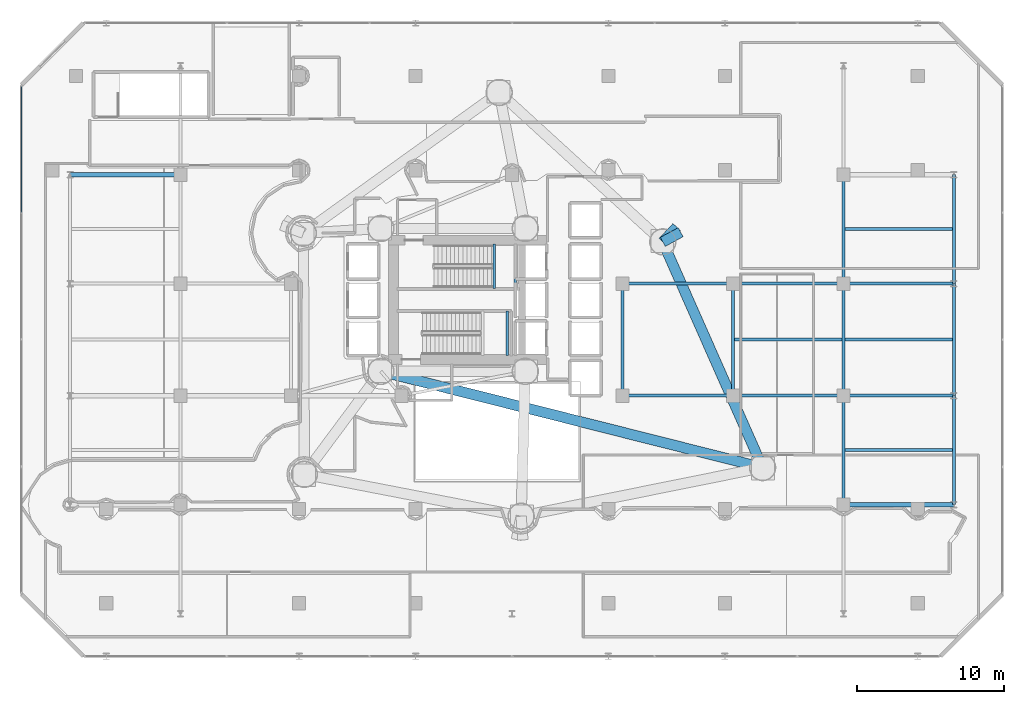
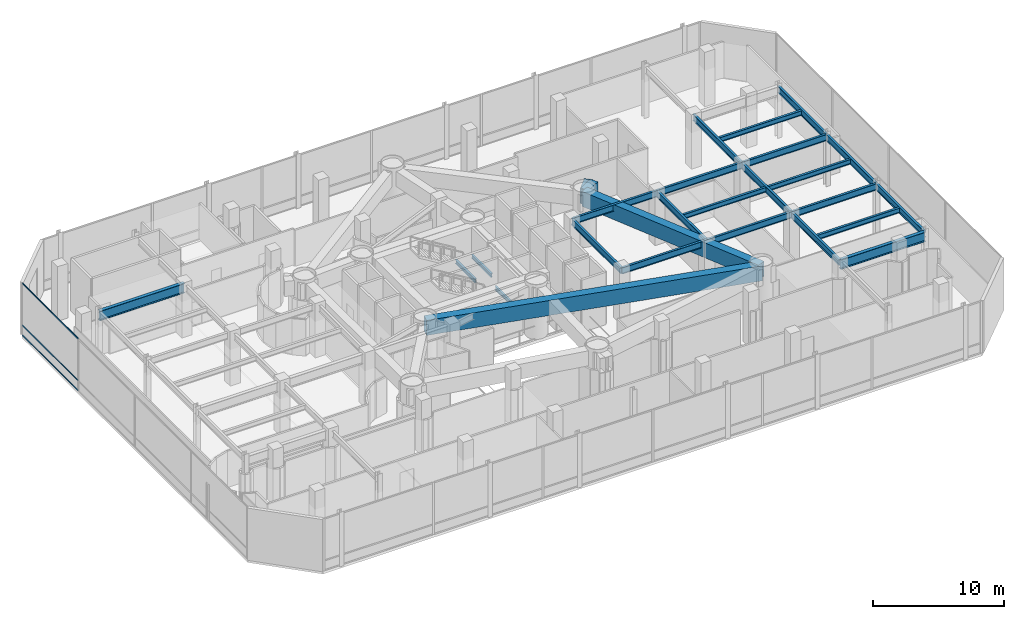
# One storey, part 16 of 40: 27 beams, 3 members, 1 element without a shape of its own.
"""IFC4 building model written with IfcOpenShell, lengths in metres."""

from ifc_helpers import new_model, si_unit, direction, frame, origin, origin_2d, place, context, subcontext, project, spatial, hollow_rectangle, i_section, extrude, material, layer, layer_set, material_profile, profile_set, type_object, element, aggregate, save


model = new_model("IFC4")

# Units and contexts
model_context = context("Model", 3, precision=1e-05, world=origin(), true_north=direction((0.0, 1.0)))
body_context = subcontext(model_context, "Body", "Model", "MODEL_VIEW")
ifc_project = project(units=[si_unit("LENGTHUNIT", "METRE"), si_unit("AREAUNIT", "SQUARE_METRE"), si_unit("VOLUMEUNIT", "CUBIC_METRE"), si_unit("PLANEANGLEUNIT", "RADIAN"), si_unit("MASSUNIT", "GRAM", prefix="KILO")], contexts=[model_context])

# Site, building, storey
site_placement = place(None, origin())
site = spatial("IfcSite", under=ifc_project, at=site_placement, CompositionType="ELEMENT")
building_placement = place(site_placement, origin())
building = spatial("IfcBuilding", under=site, at=building_placement, Name="Qianvela Tower", CompositionType="ELEMENT")
storey_placement = place(building_placement, frame((0.0, 0.0, 20.60009765625)))
storey = spatial("IfcBuildingStorey", under=building, at=storey_placement, Name="L04", CompositionType="ELEMENT", Elevation=20.60009765625)

# Beams
ifc_material_1 = material(Name="Steel Q355B", Category="steel")
ifc_material_profile_1 = material_profile(ifc_material_1, i_section(OverallWidth=0.175048828125, OverallDepth=0.35009765625, WebThickness=0.007080078125, FlangeThickness=0.010986328125, at=origin_2d()), Name="HN350x175x7x11")
ifc_profile_set_1 = profile_set([ifc_material_profile_1], Name="Steel Q355B")
beam_type_1 = type_object("IfcBeamType", Name="BM-HN350-JOIST", PredefinedType="JOIST", material=ifc_profile_set_1)
for number, where, z_axis, x_axis, name in (
    (1, (36.300048828125, 29.4599609375, 2.1748046875), (0.0, 1.0, 0.0), (-1.0, 0.0, 0.0), "L04 Stair ST-1 Landing Support Beam 1.1"),
    (2, (37.719970703125, 29.4599609375, 2.1748046875), (0.0, 1.0, 0.0), (-1.0, 0.0, 0.0), "L04 Stair ST-1 Landing Support Beam 1.2"),
    (3, (37.169921875, 24.919921875, 2.1748046875), (0.0, 1.0, 0.0), (-1.0, 0.0, 0.0), "L04 Stair ST-2 Landing Support Beam 1.2"),
):
    element("IfcBeam", number, at=place(storey_placement, frame(where, z_axis=z_axis, x_axis=x_axis)), inside=storey, type_object=beam_type_1, Name=name, PredefinedType="JOIST", context=body_context, shape_type="SweptSolid", body=[
        extrude(i_section(OverallWidth=0.175048828125, OverallDepth=0.35009765625, WebThickness=0.007080078125, FlangeThickness=0.010986328125, at=origin_2d()), origin(), (0.0, 0.0, 1.0), 3.02001953125),
    ])
ifc_material_2 = material(Name="Steel Q355B", Category="steel")
ifc_material_profile_2 = material_profile(ifc_material_2, i_section(OverallWidth=0.199951171875, OverallDepth=0.449951171875, WebThickness=0.009033203125, FlangeThickness=0.013916015625, at=origin_2d()), Name="HN450x200x9x14")
ifc_profile_set_2 = profile_set([ifc_material_profile_2], Name="Steel Q355B")
beam_type_2 = type_object("IfcBeamType", Name="BM-HN450-JOIST", PredefinedType="JOIST", material=ifc_profile_set_2)
for number, where, z_axis, x_axis, name in (
    (4, (52.595947265625, 26.0, 4.572998046875), (1.0, 0.0, 0.0), (0.0, 1.0, 0.0), "L04 Secondary Floor Joist 48"),
    (5, (60.095947265625, 18.5, 4.572998046875), (1.0, 0.0, 0.0), (0.0, 1.0, 0.0), "L04 Secondary Floor Joist 49"),
    (6, (60.095947265625, 26.0, 4.572998046875), (1.0, 0.0, 0.0), (0.0, 1.0, 0.0), "L04 Secondary Floor Joist 50"),
    (7, (60.095947265625, 33.5, 4.572998046875), (1.0, 0.0, 0.0), (0.0, 1.0, 0.0), "L04 Secondary Floor Joist 51"),
):
    element("IfcBeam", number, at=place(storey_placement, frame(where, z_axis=z_axis, x_axis=x_axis)), inside=storey, type_object=beam_type_2, Name=name, PredefinedType="JOIST", context=body_context, shape_type="SweptSolid", body=[
        extrude(i_section(OverallWidth=0.199951171875, OverallDepth=0.449951171875, WebThickness=0.009033203125, FlangeThickness=0.013916015625, at=origin_2d()), origin(), (0.0, 0.0, 1.0), 7.30810546875),
    ])
ifc_material_3 = material(Name="Steel Q355B", Category="steel")
ifc_material_profile_3 = material_profile(ifc_material_3, i_section(OverallWidth=0.199951171875, OverallDepth=0.60009765625, WebThickness=0.010986328125, FlangeThickness=0.01708984375, at=origin_2d()), Name="HN600x200x11x17")
ifc_profile_set_3 = profile_set([ifc_material_profile_3], Name="Steel Q355B")
beam_type_3 = type_object("IfcBeamType", Name="BM-HN600-GIRD", PredefinedType="BEAM", material=ifc_profile_set_3)
for number, where, z_axis, x_axis, name in (
    (8, (45.0, 22.199951171875, 4.497802734375), (1.0, 0.0, 0.0), (0.0, 1.0, 0.0), "L04 East-West Grid Girder 7"),
    (9, (52.5, 22.199951171875, 4.497802734375), (1.0, 0.0, 0.0), (0.0, 1.0, 0.0), "L04 East-West Grid Girder 8"),
    (10, (60.0, 22.199951171875, 4.497802734375), (1.0, 0.0, 0.0), (0.0, 1.0, 0.0), "L04 East-West Grid Girder 9"),
    (11, (45.0, 29.800048828125, 4.497802734375), (1.0, 0.0, 0.0), (0.0, 1.0, 0.0), "L04 East-West Grid Girder 12"),
    (12, (52.5, 29.800048828125, 4.497802734375), (1.0, 0.0, 0.0), (0.0, 1.0, 0.0), "L04 East-West Grid Girder 13"),
    (13, (60.0, 29.800048828125, 4.497802734375), (1.0, 0.0, 0.0), (0.0, 1.0, 0.0), "L04 East-West Grid Girder 14"),
):
    element("IfcBeam", number, at=place(storey_placement, frame(where, z_axis=z_axis, x_axis=x_axis)), inside=storey, type_object=beam_type_3, Name=name, PredefinedType="BEAM", context=body_context, shape_type="SweptSolid", body=[
        extrude(i_section(OverallWidth=0.199951171875, OverallDepth=0.60009765625, WebThickness=0.010986328125, FlangeThickness=0.01708984375, at=origin_2d()), origin(), (0.0, 0.0, 1.0), 7.5),
    ])
for number, where, z_axis, x_axis, name in (
    (14, (45.0, 22.199951171875, 4.497802734375), (0.0, 1.0, 0.0), (-1.0, 0.0, 0.0), "L04 North-South Grid Girder 26"),
    (15, (52.5, 22.199951171875, 4.497802734375), (0.0, 1.0, 0.0), (-1.0, 0.0, 0.0), "L04 North-South Grid Girder 27"),
):
    element("IfcBeam", number, at=place(storey_placement, frame(where, z_axis=z_axis, x_axis=x_axis)), inside=storey, type_object=beam_type_3, Name=name, PredefinedType="BEAM", context=body_context, shape_type="SweptSolid", body=[
        extrude(i_section(OverallWidth=0.199951171875, OverallDepth=0.60009765625, WebThickness=0.010986328125, FlangeThickness=0.01708984375, at=origin_2d()), origin(), (0.0, 0.0, 1.0), 7.60009765625),
    ])
beam_1_placement = place(storey_placement, frame((60.0, 14.800048828125, 4.497802734375), z_axis=(0.0, 1.0, 0.0), x_axis=(-1.0, 0.0, 0.0)))
element("IfcBeam", 16, at=beam_1_placement, inside=storey, type_object=beam_type_3, Name="L04 North-South Grid Girder 29", PredefinedType="BEAM", context=body_context, shape_type="SweptSolid", body=[
    extrude(i_section(OverallWidth=0.199951171875, OverallDepth=0.60009765625, WebThickness=0.010986328125, FlangeThickness=0.01708984375, at=origin_2d()), origin(), (0.0, 0.0, 1.0), 7.39990234375),
])
beam_2_placement = place(storey_placement, frame((60.0, 22.199951171875, 4.497802734375), z_axis=(0.0, 1.0, 0.0), x_axis=(-1.0, 0.0, 0.0)))
element("IfcBeam", 17, at=beam_2_placement, inside=storey, type_object=beam_type_3, Name="L04 North-South Grid Girder 30", PredefinedType="BEAM", context=body_context, shape_type="SweptSolid", body=[
    extrude(i_section(OverallWidth=0.199951171875, OverallDepth=0.60009765625, WebThickness=0.010986328125, FlangeThickness=0.01708984375, at=origin_2d()), origin(), (0.0, 0.0, 1.0), 7.60009765625),
])
for number, where, z_axis, x_axis, name in (
    (18, (60.0, 29.800048828125, 4.497802734375), (0.0, 1.0, 0.0), (-1.0, 0.0, 0.0), "L04 North-South Grid Girder 31"),
    (19, (67.5, 14.800048828125, 4.497802734375), (0.0, 1.0, 0.0), (-1.0, 0.0, 0.0), "L04 North-South Grid Girder 33"),
):
    element("IfcBeam", number, at=place(storey_placement, frame(where, z_axis=z_axis, x_axis=x_axis)), inside=storey, type_object=beam_type_3, Name=name, PredefinedType="BEAM", context=body_context, shape_type="SweptSolid", body=[
        extrude(i_section(OverallWidth=0.199951171875, OverallDepth=0.60009765625, WebThickness=0.010986328125, FlangeThickness=0.01708984375, at=origin_2d()), origin(), (0.0, 0.0, 1.0), 7.39990234375),
    ])
beam_3_placement = place(storey_placement, frame((67.5, 22.199951171875, 4.497802734375), z_axis=(0.0, 1.0, 0.0), x_axis=(-1.0, 0.0, 0.0)))
element("IfcBeam", 20, at=beam_3_placement, inside=storey, type_object=beam_type_3, Name="L04 North-South Grid Girder 34", PredefinedType="BEAM", context=body_context, shape_type="SweptSolid", body=[
    extrude(i_section(OverallWidth=0.199951171875, OverallDepth=0.60009765625, WebThickness=0.010986328125, FlangeThickness=0.01708984375, at=origin_2d()), origin(), (0.0, 0.0, 1.0), 7.60009765625),
])
beam_4_placement = place(storey_placement, frame((67.5, 29.800048828125, 4.497802734375), z_axis=(0.0, 1.0, 0.0), x_axis=(-1.0, 0.0, 0.0)))
element("IfcBeam", 21, at=beam_4_placement, inside=storey, type_object=beam_type_3, Name="L04 North-South Grid Girder 35", PredefinedType="BEAM", context=body_context, shape_type="SweptSolid", body=[
    extrude(i_section(OverallWidth=0.199951171875, OverallDepth=0.60009765625, WebThickness=0.010986328125, FlangeThickness=0.01708984375, at=origin_2d()), origin(), (0.0, 0.0, 1.0), 7.39990234375),
])
ifc_material_4 = material(Name="Steel Q355B", Category="steel")
ifc_material_profile_4 = material_profile(ifc_material_4, i_section(OverallWidth=0.300048828125, OverallDepth=0.89990234375, WebThickness=0.01611328125, FlangeThickness=0.028076171875, at=origin_2d()), Name="HN900x300x16x28")
ifc_profile_set_4 = profile_set([ifc_material_profile_4], Name="Steel Q355B")
beam_type_4 = type_object("IfcBeamType", Name="BM-HN900-SPAND", PredefinedType="SPANDREL", material=ifc_profile_set_4)
for number, where, z_axis, x_axis, name in (
    (22, (60.0, 14.800048828125, 4.347900390625), (1.0, 0.0, 0.0), (0.0, 1.0, 0.0), "L04 East-West Grid Girder 2"),
    (23, (7.5, 37.199951171875, 4.347900390625), (1.0, 0.0, 0.0), (0.0, 1.0, 0.0), "L04 East-West Grid Girder 15"),
):
    element("IfcBeam", number, at=place(storey_placement, frame(where, z_axis=z_axis, x_axis=x_axis)), inside=storey, type_object=beam_type_4, Name=name, PredefinedType="SPANDREL", context=body_context, shape_type="SweptSolid", body=[
        extrude(i_section(OverallWidth=0.300048828125, OverallDepth=0.89990234375, WebThickness=0.01611328125, FlangeThickness=0.028076171875, at=origin_2d()), origin(), (0.0, 0.0, 1.0), 7.5),
    ])
ifc_material_5 = material(Name="Steel Q420GJC", Category="steel")
ifc_material_profile_5 = material_profile(ifc_material_5, hollow_rectangle(XDim=0.699951171875, YDim=1.39990234375, WallThickness=0.0400390625, at=origin_2d()), Name="TG-BOX-1400x700x40")
ifc_profile_set_5 = profile_set([ifc_material_profile_5], Name="Steel Q420GJC")
beam_type_5 = type_object("IfcBeamType", Name="BM-TG-RAD-1400", PredefinedType="BEAM", material=ifc_profile_set_5)
beam_5_placement = place(storey_placement, frame((54.511962890625, 17.31689453125, 4.097900390625), z_axis=(-0.404490777912, 0.914542076989, 0.0), x_axis=(-0.914542076989, -0.404490777912, 0.0)))
element("IfcBeam", 24, at=beam_5_placement, inside=storey, type_object=beam_type_5, Name="L04 Perimeter Belt-Truss Top Ring Girder 1", PredefinedType="BEAM", context=body_context, shape_type="SweptSolid", body=[
    extrude(hollow_rectangle(XDim=0.699951171875, YDim=1.39990234375, WallThickness=0.0400390625, at=origin_2d()), origin(), (0.0, 0.0, 1.0), 16.751708984375),
])
beam_6_placement = place(storey_placement, frame((28.60009765625, 23.85009765625, 4.097900390625), z_axis=(0.969654189465, -0.244480577661, 0.0), x_axis=(0.244480577661, 0.969654189465, 0.0)))
element("IfcBeam", 25, at=beam_6_placement, inside=storey, type_object=beam_type_5, Name="L04 Radial Outrigger Top Transfer Girder 1", PredefinedType="BEAM", context=body_context, shape_type="SweptSolid", body=[
    extrude(hollow_rectangle(XDim=0.699951171875, YDim=1.39990234375, WallThickness=0.0400390625, at=origin_2d()), origin(), (0.0, 0.0, 1.0), 26.722900390625),
])
ifc_material_6 = material(Name="Steel Q420GJC", Category="steel")
ifc_material_profile_6 = material_profile(ifc_material_6, hollow_rectangle(XDim=0.699951171875, YDim=1.39990234375, WallThickness=0.0400390625, at=origin_2d()), Name="TG-BOX-1400x700x40")
ifc_profile_set_6 = profile_set([ifc_material_profile_6], Name="Steel Q420GJC")
beam_type_6 = type_object("IfcBeamType", Name="BM-TG-STEP-1400", PredefinedType="BEAM", material=ifc_profile_set_6)
for number, where, z_axis, x_axis, name in (
    (26, (47.736083984375, 32.636962890625, 4.094970703125), (0.878961483171, 0.47689276688, 0.0), (-0.47689276688, 0.878961483171, 0.0), "L04 Mega-Brace Base Transfer Bracket 1"),
    (27, (47.736083984375, 32.636962890625, 4.094970703125), (0.684194096896, 0.729299964194, 0.0), (-0.729299964194, 0.684194096896, 0.0), "L04 Mega-Brace Base Transfer Bracket 2"),
):
    element("IfcBeam", number, at=place(storey_placement, frame(where, z_axis=z_axis, x_axis=x_axis)), inside=storey, type_object=beam_type_6, Name=name, PredefinedType="BEAM", context=body_context, shape_type="SweptSolid", body=[
        extrude(hollow_rectangle(XDim=0.699951171875, YDim=1.39990234375, WallThickness=0.0400390625, at=origin_2d()), origin(), (0.0, 0.0, 1.0), 1.380126953125),
    ])

# Curtain wall, members
ifc_material_7 = material(Name="Anodised Architectural Aluminium and Low-E Glass", Category="aluminium")
ifc_layer = layer(ifc_material_7, 0.179931640625)
ifc_layer_set = layer_set([ifc_layer], Name="Anodised Architectural Aluminium and Low-E Glass")
curtain_wall_type = type_object("IfcCurtainWallType", Name="CW-COMMONS", PredefinedType="USERDEFINED", material=ifc_layer_set)
curtain_wall_placement = place(storey_placement, origin())
curtain_wall = element("IfcCurtainWall", 28, at=curtain_wall_placement, inside=storey, type_object=curtain_wall_type, Name="L04 CW-COMMONS Curtain Wall 07", ObjectType="CURTAIN_WALL_SYSTEM", PredefinedType="USERDEFINED")
ifc_material_8 = material(Name="Anodised Architectural Aluminium 6063-T6", Category="aluminium")
ifc_material_profile_7 = material_profile(ifc_material_8, hollow_rectangle(XDim=0.06005859375, YDim=0.114990234375, WallThickness=0.00390625, at=origin_2d()), Name="ALU-TRAN-60x115")
ifc_profile_set_7 = profile_set([ifc_material_profile_7], Name="Anodised Architectural Aluminium 6063-T6")
member_type = type_object("IfcMemberType", Name="CW-COMMONS-TRAN", PredefinedType="USERDEFINED", material=ifc_profile_set_7)
member_1_placement = place(storey_placement, frame((4.199951171875, 43.179931640625, 0.02978515625), z_axis=(0.0, -1.0, 0.0), x_axis=(1.0, 0.0, 0.0)))
member_1 = element("IfcMember", 29, at=member_1_placement, type_object=member_type, Name="CW-2 transom 1.1", ObjectType="TRANSOM", PredefinedType="USERDEFINED", context=body_context, shape_type="SweptSolid", body=[
    extrude(hollow_rectangle(XDim=0.06005859375, YDim=0.114990234375, WallThickness=0.00390625, at=origin_2d()), origin(), (0.0, 0.0, 1.0), 8.52001953125),
])
member_2_placement = place(storey_placement, frame((4.199951171875, 43.179931640625, 0.949951171875), z_axis=(0.0, -1.0, 0.0), x_axis=(1.0, 0.0, 0.0)))
member_2 = element("IfcMember", 30, at=member_2_placement, type_object=member_type, Name="CW-2 transom 1.2", ObjectType="TRANSOM", PredefinedType="USERDEFINED", context=body_context, shape_type="SweptSolid", body=[
    extrude(hollow_rectangle(XDim=0.06005859375, YDim=0.114990234375, WallThickness=0.00390625, at=origin_2d()), origin(), (0.0, 0.0, 1.0), 8.52001953125),
])
member_3_placement = place(storey_placement, frame((4.199951171875, 43.179931640625, 4.849853515625), z_axis=(0.0, -1.0, 0.0), x_axis=(1.0, 0.0, 0.0)))
member_3 = element("IfcMember", 31, at=member_3_placement, type_object=member_type, Name="CW-2 transom 1.3", ObjectType="TRANSOM", PredefinedType="USERDEFINED", context=body_context, shape_type="SweptSolid", body=[
    extrude(hollow_rectangle(XDim=0.06005859375, YDim=0.114990234375, WallThickness=0.00390625, at=origin_2d()), origin(), (0.0, 0.0, 1.0), 8.52001953125),
])
aggregate(curtain_wall, [member_1, member_2, member_3])

save(model, "model.ifc")
